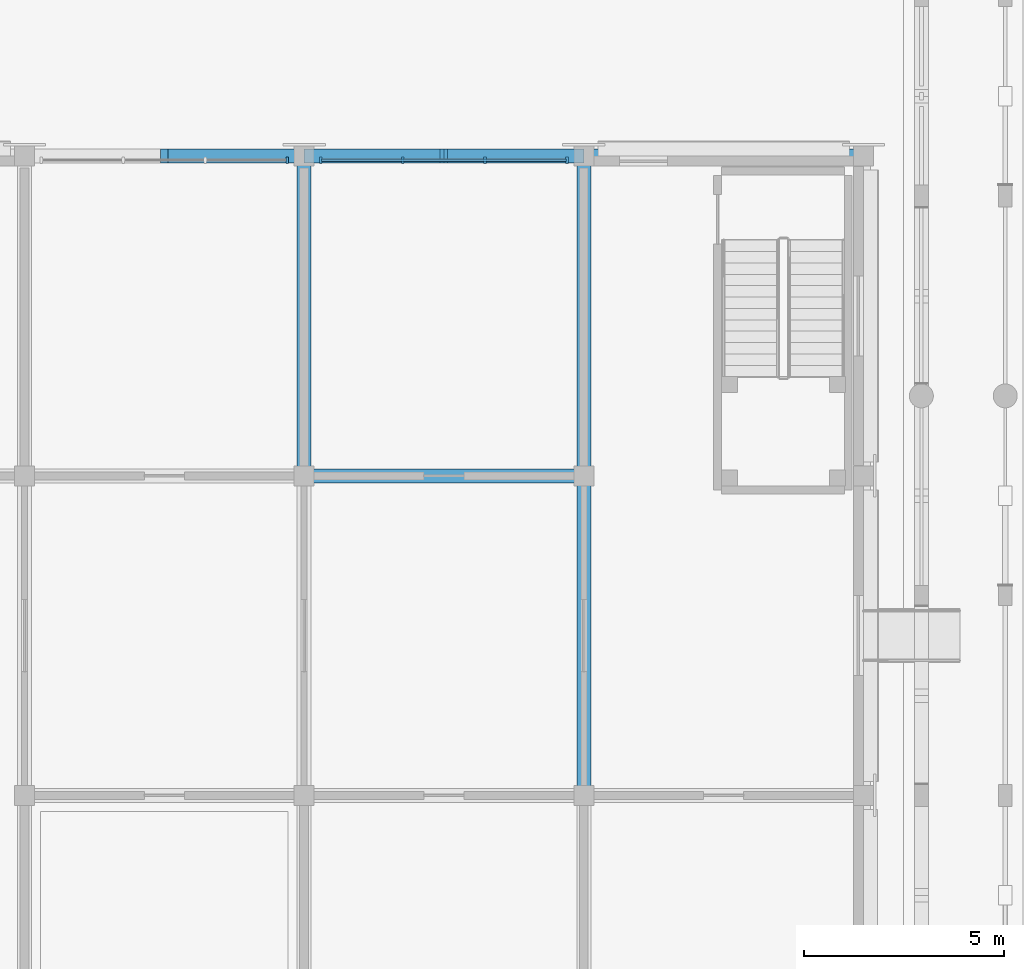
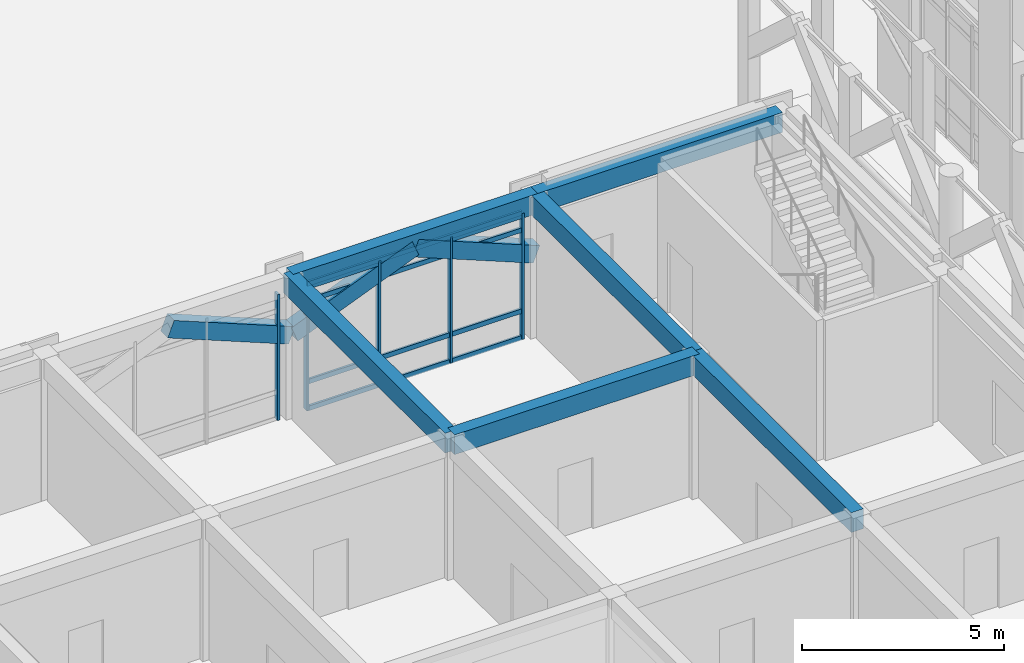
# One storey, part 36 of 135: 9 beams, 9 members, 2 elements without a shape of their own.
"""IFC4 building model written with IfcOpenShell, lengths in metres."""

from ifc_helpers import new_model, si_unit, direction, frame, origin, origin_2d, place, context, subcontext, project, spatial, rectangle, extrude, material, material_profile, profile_set, type_object, element, aggregate, save


model = new_model("IFC4")

# Units and contexts
model_context = context("Model", 3, precision=1e-05, world=origin(), true_north=direction((0.0, 1.0)))
body_context = subcontext(model_context, "Body", "Model", "MODEL_VIEW")
ifc_project = project(units=[si_unit("LENGTHUNIT", "METRE"), si_unit("AREAUNIT", "SQUARE_METRE"), si_unit("VOLUMEUNIT", "CUBIC_METRE"), si_unit("PLANEANGLEUNIT", "RADIAN"), si_unit("MASSUNIT", "GRAM", prefix="KILO")], contexts=[model_context])

# Site, building, storey
site_placement = place(None, origin())
site = spatial("IfcSite", under=ifc_project, at=site_placement, CompositionType="ELEMENT")
building_placement = place(site_placement, origin())
building = spatial("IfcBuilding", under=site, at=building_placement, Name="Kiranvali Square Residences", CompositionType="ELEMENT")
storey_placement = place(building_placement, origin())
storey = spatial("IfcBuildingStorey", under=building, at=storey_placement, Name="L00", CompositionType="ELEMENT", Elevation=0.0)

# Beams
ifc_material_1 = material(Name="Concrete M40 (40 MPa)", Category="concrete")
ifc_material_profile_1 = material_profile(ifc_material_1, rectangle(XDim=0.35009765625, YDim=0.5, at=origin_2d()), Name="RC 350x500")
ifc_profile_set_1 = profile_set([ifc_material_profile_1], Name="Concrete M40 (40 MPa)")
beam_type_1 = type_object("IfcBeamType", Name="AR-M40-350x500", PredefinedType="USERDEFINED", material=ifc_profile_set_1)
for number, where, z_axis, x_axis, name in (
    (1, (48.5, 80.0, 3.85009765625), (0.926976058065, 0.0, -0.375120497672), (0.0, 1.0, 0.0), "Classical pointed Ottoman arch rib ARCH-NR-S3-1.2"),
    (2, (52.0400390625, 80.0, 2.449951171875), (0.926976058065, 0.0, 0.375120497672), (0.0, 1.0, 0.0), "Classical pointed Ottoman arch rib ARCH-NR-S3-2.1"),
    (3, (55.5, 80.0, 3.85009765625), (0.926976058065, 0.0, -0.375120497672), (0.0, 1.0, 0.0), "Classical pointed Ottoman arch rib ARCH-NR-S3-2.2"),
):
    element("IfcBeam", number, at=place(storey_placement, frame(where, z_axis=z_axis, x_axis=x_axis)), inside=storey, type_object=beam_type_1, Name=name, ObjectType="ARCH RIB", PredefinedType="USERDEFINED", context=body_context, shape_type="SweptSolid", body=[
        extrude(rectangle(XDim=0.35009765625, YDim=0.5, at=origin_2d()), origin(), (0.0, 0.0, 1.0), 3.732421875),
    ])
ifc_material_profile_2 = material_profile(ifc_material_1, rectangle(XDim=0.35009765625, YDim=0.60009765625, at=origin_2d()), Name="RC 350x600")
ifc_profile_set_2 = profile_set([ifc_material_profile_2], Name="Concrete M40 (40 MPa)")
beam_type_2 = type_object("IfcBeamType", Name="BM-M40-350x600", PredefinedType="BEAM", material=ifc_profile_set_2)
for number, where, z_axis, x_axis, name in (
    (4, (52.0, 72.0, 3.97998046875), (1.0, 0.0, 0.0), (0.0, 1.0, 0.0), "L00 beam BM-NR-L00-X2-2"),
    (5, (52.0, 80.0, 3.97998046875), (1.0, 0.0, 0.0), (0.0, 1.0, 0.0), "L00 beam BM-NR-L00-X2-3"),
    (6, (59.0, 80.0, 3.97998046875), (1.0, 0.0, 0.0), (0.0, 1.0, 0.0), "L00 beam BM-NR-L00-X3-3"),
):
    element("IfcBeam", number, at=place(storey_placement, frame(where, z_axis=z_axis, x_axis=x_axis)), inside=storey, type_object=beam_type_2, Name=name, PredefinedType="BEAM", context=body_context, shape_type="SweptSolid", body=[
        extrude(rectangle(XDim=0.35009765625, YDim=0.60009765625, at=origin_2d()), origin(), (0.0, 0.0, 1.0), 7.0),
    ])
for number, where, z_axis, x_axis, name in (
    (7, (52.0, 72.0, 3.97998046875), (0.0, 1.0, 0.0), (-1.0, 0.0, 0.0), "L00 beam BM-NR-L00-Y2-2"),
    (8, (59.0, 64.0, 3.97998046875), (0.0, 1.0, 0.0), (-1.0, 0.0, 0.0), "L00 beam BM-NR-L00-Y3-1"),
    (9, (59.0, 72.0, 3.97998046875), (0.0, 1.0, 0.0), (-1.0, 0.0, 0.0), "L00 beam BM-NR-L00-Y3-2"),
):
    element("IfcBeam", number, at=place(storey_placement, frame(where, z_axis=z_axis, x_axis=x_axis)), inside=storey, type_object=beam_type_2, Name=name, PredefinedType="BEAM", context=body_context, shape_type="SweptSolid", body=[
        extrude(rectangle(XDim=0.35009765625, YDim=0.60009765625, at=origin_2d()), origin(), (0.0, 0.0, 1.0), 8.0),
    ])

# Curtain wall, member
ifc_material_2 = material(Name="Anodised bronze aluminium framing", Category="aluminium")
curtain_wall_type = type_object("IfcCurtainWallType", Name="CW-PAV-GLZ", PredefinedType="USERDEFINED", material=ifc_material_2)
curtain_wall_1_placement = place(storey_placement, origin())
curtain_wall_1 = element("IfcCurtainWall", 10, at=curtain_wall_1_placement, inside=storey, type_object=curtain_wall_type, Name="Nursery Pavilion north arcade curtain wall 2", ObjectType="CURTAIN WALL", PredefinedType="USERDEFINED")
ifc_material_profile_3 = material_profile(ifc_material_2, rectangle(XDim=0.06494140625, YDim=0.159912109375, at=origin_2d()), Name="ALU 65x160")
ifc_profile_set_3 = profile_set([ifc_material_profile_3], Name="Anodised bronze aluminium framing")
member_type_1 = type_object("IfcMemberType", Name="CW-MUL-160", PredefinedType="MULLION", material=ifc_profile_set_3)
member_1_placement = place(storey_placement, frame((51.580078125, 79.89990234375, 0.02001953125), z_axis=(0.0, 0.0, 1.0), x_axis=(1.0, 0.0, 0.0)))
member_1 = element("IfcMember", 11, at=member_1_placement, type_object=member_type_1, Name="CW-NR-N0-1 vertical mullion 4", PredefinedType="MULLION", context=body_context, shape_type="SweptSolid", body=[
    extrude(rectangle(XDim=0.06494140625, YDim=0.159912109375, at=origin_2d()), origin(), (0.0, 0.0, 1.0), 3.81005859375),
])
aggregate(curtain_wall_1, [member_1])

# Curtain wall, members
curtain_wall_2_placement = place(storey_placement, origin())
curtain_wall_2 = element("IfcCurtainWall", 12, at=curtain_wall_2_placement, inside=storey, type_object=curtain_wall_type, Name="Nursery Pavilion north arcade curtain wall 3", ObjectType="CURTAIN WALL", PredefinedType="USERDEFINED")
member_2_placement = place(storey_placement, frame((52.419921875, 79.89990234375, 0.02001953125), z_axis=(0.0, 0.0, 1.0), x_axis=(1.0, 0.0, 0.0)))
member_2 = element("IfcMember", 13, at=member_2_placement, type_object=member_type_1, Name="CW-NR-N0-2 vertical mullion 1", PredefinedType="MULLION", context=body_context, shape_type="SweptSolid", body=[
    extrude(rectangle(XDim=0.06494140625, YDim=0.159912109375, at=origin_2d()), origin(), (0.0, 0.0, 1.0), 3.81005859375),
])
member_3_placement = place(storey_placement, frame((54.473388671875, 79.89990234375, 0.02001953125), z_axis=(0.0, 0.0, 1.0), x_axis=(1.0, 0.0, 0.0)))
member_3 = element("IfcMember", 14, at=member_3_placement, type_object=member_type_1, Name="CW-NR-N0-2 vertical mullion 2", PredefinedType="MULLION", context=body_context, shape_type="SweptSolid", body=[
    extrude(rectangle(XDim=0.06494140625, YDim=0.159912109375, at=origin_2d()), origin(), (0.0, 0.0, 1.0), 3.81005859375),
])
member_4_placement = place(storey_placement, frame((56.526611328125, 79.89990234375, 0.02001953125), z_axis=(0.0, 0.0, 1.0), x_axis=(1.0, 0.0, 0.0)))
member_4 = element("IfcMember", 15, at=member_4_placement, type_object=member_type_1, Name="CW-NR-N0-2 vertical mullion 3", PredefinedType="MULLION", context=body_context, shape_type="SweptSolid", body=[
    extrude(rectangle(XDim=0.06494140625, YDim=0.159912109375, at=origin_2d()), origin(), (0.0, 0.0, 1.0), 3.81005859375),
])
member_5_placement = place(storey_placement, frame((58.580078125, 79.89990234375, 0.02001953125), z_axis=(0.0, 0.0, 1.0), x_axis=(1.0, 0.0, 0.0)))
member_5 = element("IfcMember", 16, at=member_5_placement, type_object=member_type_1, Name="CW-NR-N0-2 vertical mullion 4", PredefinedType="MULLION", context=body_context, shape_type="SweptSolid", body=[
    extrude(rectangle(XDim=0.06494140625, YDim=0.159912109375, at=origin_2d()), origin(), (0.0, 0.0, 1.0), 3.81005859375),
])
ifc_material_profile_4 = material_profile(ifc_material_2, rectangle(XDim=0.06494140625, YDim=0.139892578125, at=origin_2d()), Name="ALU 65x140")
ifc_profile_set_4 = profile_set([ifc_material_profile_4], Name="Anodised bronze aluminium framing")
member_type_2 = type_object("IfcMemberType", Name="CW-TRN-140", PredefinedType="MULLION", material=ifc_profile_set_4)
member_6_placement = place(storey_placement, frame((52.429931640625, 79.89990234375, 0.0400390625), z_axis=(1.0, 0.0, 0.0), x_axis=(0.0, 1.0, 0.0)))
member_6 = element("IfcMember", 17, at=member_6_placement, type_object=member_type_2, Name="CW-NR-N0-2 horizontal transom 1", PredefinedType="MULLION", context=body_context, shape_type="SweptSolid", body=[
    extrude(rectangle(XDim=0.06494140625, YDim=0.139892578125, at=origin_2d()), origin(), (0.0, 0.0, 1.0), 6.14013671875),
])
member_7_placement = place(storey_placement, frame((52.429931640625, 79.89990234375, 0.85009765625), z_axis=(1.0, 0.0, 0.0), x_axis=(0.0, 1.0, 0.0)))
member_7 = element("IfcMember", 18, at=member_7_placement, type_object=member_type_2, Name="CW-NR-N0-2 horizontal transom 2", PredefinedType="MULLION", context=body_context, shape_type="SweptSolid", body=[
    extrude(rectangle(XDim=0.06494140625, YDim=0.139892578125, at=origin_2d()), origin(), (0.0, 0.0, 1.0), 6.14013671875),
])
member_8_placement = place(storey_placement, frame((52.429931640625, 79.89990234375, 3.300048828125), z_axis=(1.0, 0.0, 0.0), x_axis=(0.0, 1.0, 0.0)))
member_8 = element("IfcMember", 19, at=member_8_placement, type_object=member_type_2, Name="CW-NR-N0-2 horizontal transom 3", PredefinedType="MULLION", context=body_context, shape_type="SweptSolid", body=[
    extrude(rectangle(XDim=0.06494140625, YDim=0.139892578125, at=origin_2d()), origin(), (0.0, 0.0, 1.0), 6.14013671875),
])
member_9_placement = place(storey_placement, frame((52.429931640625, 79.89990234375, 3.81005859375), z_axis=(1.0, 0.0, 0.0), x_axis=(0.0, 1.0, 0.0)))
member_9 = element("IfcMember", 20, at=member_9_placement, type_object=member_type_2, Name="CW-NR-N0-2 horizontal transom 4", PredefinedType="MULLION", context=body_context, shape_type="SweptSolid", body=[
    extrude(rectangle(XDim=0.06494140625, YDim=0.139892578125, at=origin_2d()), origin(), (0.0, 0.0, 1.0), 6.14013671875),
])
aggregate(curtain_wall_2, [member_2, member_3, member_4, member_5, member_6, member_7, member_8, member_9])

save(model, "model.ifc")
